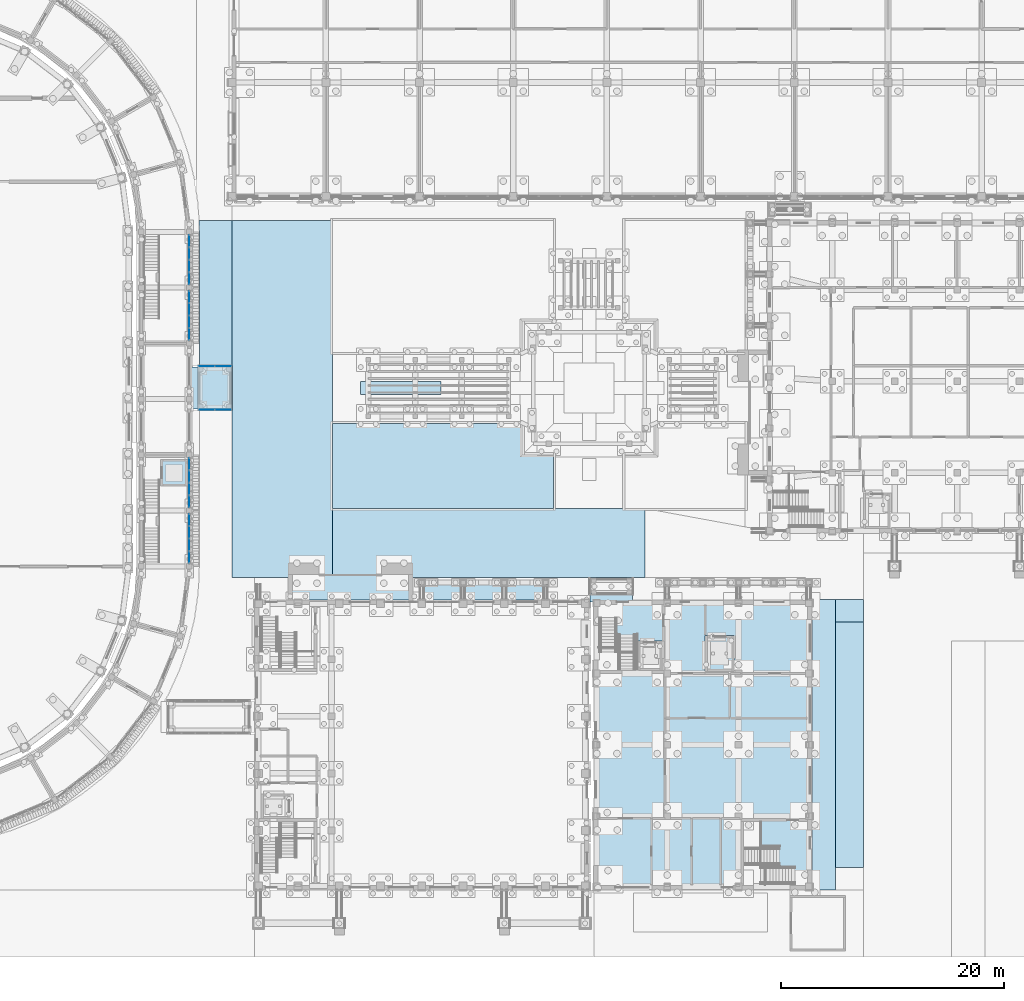
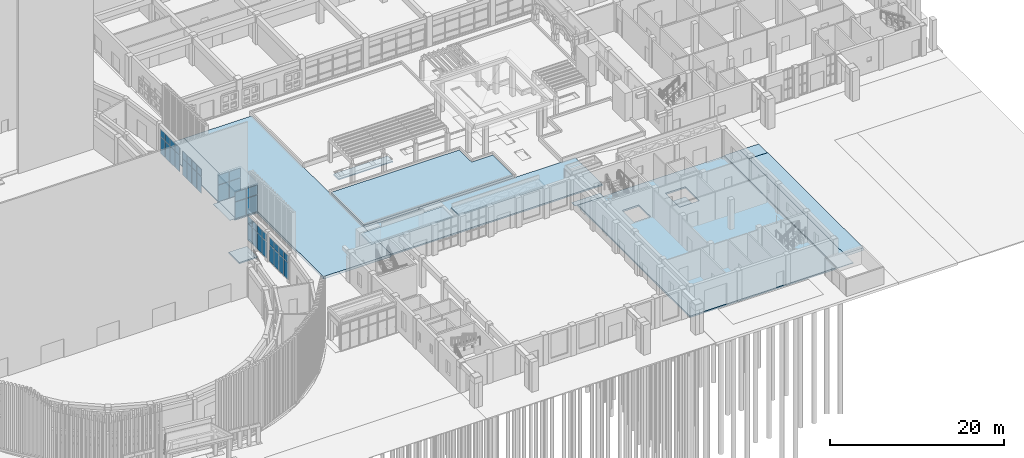
# One storey, part 51 of 112: 42 plates, 15 slabs, 6 elements without a shape of their own.
"""IFC4 building model written with IfcOpenShell, lengths in metres."""

from ifc_helpers import new_model, si_unit, direction, frame, origin, origin_2d, place, context, subcontext, project, spatial, polyline, rectangle, outline, extrude, material, layer, layer_set, type_object, element, aggregate, save


model = new_model("IFC4")

# Units and contexts
model_context = context("Model", 3, precision=1e-05, world=origin(), true_north=direction((0.0, 1.0)))
body_context = subcontext(model_context, "Body", "Model", "MODEL_VIEW")
ifc_project = project(units=[si_unit("LENGTHUNIT", "METRE"), si_unit("AREAUNIT", "SQUARE_METRE"), si_unit("VOLUMEUNIT", "CUBIC_METRE"), si_unit("PLANEANGLEUNIT", "RADIAN"), si_unit("MASSUNIT", "GRAM", prefix="KILO")], contexts=[model_context])

# Site, building, storey
site_placement = place(None, origin())
site = spatial("IfcSite", under=ifc_project, at=site_placement, CompositionType="ELEMENT")
building_placement = place(site_placement, origin())
building = spatial("IfcBuilding", under=site, at=building_placement, Name="Wasatch Bagh Community Centre", CompositionType="ELEMENT")
storey_placement = place(building_placement, origin())
storey = spatial("IfcBuildingStorey", under=building, at=storey_placement, Name="L00", CompositionType="ELEMENT", Elevation=0.0)

# Slabs
ifc_material_1 = material(Name="Concrete C35", Category="concrete")
ifc_layer_1 = layer(ifc_material_1, 0.199951171875)
ifc_layer_set_1 = layer_set([ifc_layer_1], Name="Concrete C35")
slab_type_1 = type_object("IfcSlabType", Name="CL-S1", PredefinedType="ROOF", material=ifc_layer_set_1)
slab_1_placement = place(storey_placement, frame((0.0, 0.0, 3.85009765625)))
element("IfcSlab", 1, at=slab_1_placement, inside=storey, type_object=slab_type_1, Name="CL-S1 arcade roof DH 1", PredefinedType="ROOF", context=body_context, shape_type="SweptSolid", body=[
    extrude(outline(polyline([(80.77490234375, 32.0), (92.324951171875, 32.0), (92.324951171875, 33.699951171875), (80.77490234375, 33.699951171875), (80.77490234375, 32.0)])), origin(), (0.0, 0.0, 1.0), 0.199951171875),
])
slab_2_placement = place(storey_placement, frame((0.0, 0.0, 3.85009765625)))
element("IfcSlab", 2, at=slab_2_placement, inside=storey, type_object=slab_type_1, Name="CL-S1 porch roof", PredefinedType="ROOF", context=body_context, shape_type="SweptSolid", body=[
    extrude(outline(polyline([(69.199951171875, 34.300048828125), (80.0, 34.300048828125), (80.0, 32.0), (69.199951171875, 32.0), (69.199951171875, 34.300048828125)])), origin(), (0.0, 0.0, 1.0), 0.199951171875),
])

# Curtain wall, plates
ifc_material_2 = material(Name="Aluminium curtain wall frame with low-iron insulated glass", Category="aluminium")
ifc_layer_2 = layer(ifc_material_2, 0.14990234375)
ifc_layer_set_2 = layer_set([ifc_layer_2], Name="Aluminium curtain wall frame with low-iron insulated glass")
curtain_wall_type_1 = type_object("IfcCurtainWallType", Name="Drum curtain wall DR-CW3", PredefinedType="NOTDEFINED", material=ifc_layer_set_2)
curtain_wall_1_placement = place(storey_placement, origin())
curtain_wall_1 = element("IfcCurtainWall", 3, at=curtain_wall_1_placement, inside=storey, type_object=curtain_wall_type_1, Name="Curtain wall DR-CW3 13", PredefinedType="NOTDEFINED")
ifc_material_3 = material(Name="Low-iron insulated glass", Category="glass")
ifc_layer_3 = layer(ifc_material_3, 0.028076171875)
ifc_layer_set_3 = layer_set([ifc_layer_3], Name="Low-iron insulated glass")
plate_type_1 = type_object("IfcPlateType", Name="Drum glass panel DR-CW3", PredefinedType="CURTAIN_PANEL", material=ifc_layer_set_3)
plate_1_placement = place(storey_placement, frame((60.14990234375, 35.827880859375, 0.06005859375), z_axis=(0.0, 0.0, 1.0), x_axis=(0.0, 1.0, 0.0)))
plate_1 = element("IfcPlate", 4, at=plate_1_placement, type_object=plate_type_1, Name="DR-CW3 panel 1.1", PredefinedType="CURTAIN_PANEL", context=body_context, shape_type="SweptSolid", body=[
    extrude(rectangle(XDim=1.03466796875, YDim=0.028076171875, at=origin_2d()), origin(), (0.0, 0.0, 1.0), 2.31005859375),
])
plate_2_placement = place(storey_placement, frame((60.14990234375, 35.827880859375, 2.43017578125), z_axis=(0.0, 0.0, 1.0), x_axis=(0.0, 1.0, 0.0)))
plate_2 = element("IfcPlate", 5, at=plate_2_placement, type_object=plate_type_1, Name="DR-CW3 panel 1.2", PredefinedType="CURTAIN_PANEL", context=body_context, shape_type="SweptSolid", body=[
    extrude(rectangle(XDim=1.03466796875, YDim=0.028076171875, at=origin_2d()), origin(), (0.0, 0.0, 1.0), 1.010009765625),
])
plate_3_placement = place(storey_placement, frame((60.14990234375, 36.937744140625, 0.06005859375), z_axis=(0.0, 0.0, 1.0), x_axis=(0.0, 1.0, 0.0)))
plate_3 = element("IfcPlate", 6, at=plate_3_placement, type_object=plate_type_1, Name="DR-CW3 panel 2.1", PredefinedType="CURTAIN_PANEL", context=body_context, shape_type="SweptSolid", body=[
    extrude(rectangle(XDim=1.064697265625, YDim=0.028076171875, at=origin_2d()), origin(), (0.0, 0.0, 1.0), 2.31005859375),
])
plate_4_placement = place(storey_placement, frame((60.14990234375, 36.937744140625, 2.43017578125), z_axis=(0.0, 0.0, 1.0), x_axis=(0.0, 1.0, 0.0)))
plate_4 = element("IfcPlate", 7, at=plate_4_placement, type_object=plate_type_1, Name="DR-CW3 panel 2.2", PredefinedType="CURTAIN_PANEL", context=body_context, shape_type="SweptSolid", body=[
    extrude(rectangle(XDim=1.064697265625, YDim=0.028076171875, at=origin_2d()), origin(), (0.0, 0.0, 1.0), 1.010009765625),
])
plate_5_placement = place(storey_placement, frame((60.14990234375, 38.062255859375, 0.06005859375), z_axis=(0.0, 0.0, 1.0), x_axis=(0.0, 1.0, 0.0)))
plate_5 = element("IfcPlate", 8, at=plate_5_placement, type_object=plate_type_1, Name="DR-CW3 panel 3.1", PredefinedType="CURTAIN_PANEL", context=body_context, shape_type="SweptSolid", body=[
    extrude(rectangle(XDim=1.064697265625, YDim=0.028076171875, at=origin_2d()), origin(), (0.0, 0.0, 1.0), 2.31005859375),
])
plate_6_placement = place(storey_placement, frame((60.14990234375, 38.062255859375, 2.43017578125), z_axis=(0.0, 0.0, 1.0), x_axis=(0.0, 1.0, 0.0)))
plate_6 = element("IfcPlate", 9, at=plate_6_placement, type_object=plate_type_1, Name="DR-CW3 panel 3.2", PredefinedType="CURTAIN_PANEL", context=body_context, shape_type="SweptSolid", body=[
    extrude(rectangle(XDim=1.064697265625, YDim=0.028076171875, at=origin_2d()), origin(), (0.0, 0.0, 1.0), 1.010009765625),
])
plate_7_placement = place(storey_placement, frame((60.14990234375, 39.172119140625, 0.06005859375), z_axis=(0.0, 0.0, 1.0), x_axis=(0.0, 1.0, 0.0)))
plate_7 = element("IfcPlate", 10, at=plate_7_placement, type_object=plate_type_1, Name="DR-CW3 panel 4.1", PredefinedType="CURTAIN_PANEL", context=body_context, shape_type="SweptSolid", body=[
    extrude(rectangle(XDim=1.03466796875, YDim=0.028076171875, at=origin_2d()), origin(), (0.0, 0.0, 1.0), 2.31005859375),
])
plate_8_placement = place(storey_placement, frame((60.14990234375, 39.172119140625, 2.43017578125), z_axis=(0.0, 0.0, 1.0), x_axis=(0.0, 1.0, 0.0)))
plate_8 = element("IfcPlate", 11, at=plate_8_placement, type_object=plate_type_1, Name="DR-CW3 panel 4.2", PredefinedType="CURTAIN_PANEL", context=body_context, shape_type="SweptSolid", body=[
    extrude(rectangle(XDim=1.03466796875, YDim=0.028076171875, at=origin_2d()), origin(), (0.0, 0.0, 1.0), 1.010009765625),
])
aggregate(curtain_wall_1, [plate_1, plate_2, plate_3, plate_4, plate_5, plate_6, plate_7, plate_8])

curtain_wall_2_placement = place(storey_placement, origin())
curtain_wall_2 = element("IfcCurtainWall", 12, at=curtain_wall_2_placement, inside=storey, type_object=curtain_wall_type_1, Name="Curtain wall DR-CW3 14", PredefinedType="NOTDEFINED")
plate_9_placement = place(storey_placement, frame((60.14990234375, 40.827880859375, 0.06005859375), z_axis=(0.0, 0.0, 1.0), x_axis=(0.0, 1.0, 0.0)))
plate_9 = element("IfcPlate", 13, at=plate_9_placement, type_object=plate_type_1, Name="DR-CW3 panel 1.1", PredefinedType="CURTAIN_PANEL", context=body_context, shape_type="SweptSolid", body=[
    extrude(rectangle(XDim=1.03466796875, YDim=0.028076171875, at=origin_2d()), origin(), (0.0, 0.0, 1.0), 2.31005859375),
])
plate_10_placement = place(storey_placement, frame((60.14990234375, 40.827880859375, 2.43017578125), z_axis=(0.0, 0.0, 1.0), x_axis=(0.0, 1.0, 0.0)))
plate_10 = element("IfcPlate", 14, at=plate_10_placement, type_object=plate_type_1, Name="DR-CW3 panel 1.2", PredefinedType="CURTAIN_PANEL", context=body_context, shape_type="SweptSolid", body=[
    extrude(rectangle(XDim=1.03466796875, YDim=0.028076171875, at=origin_2d()), origin(), (0.0, 0.0, 1.0), 1.010009765625),
])
plate_11_placement = place(storey_placement, frame((60.14990234375, 41.937744140625, 0.06005859375), z_axis=(0.0, 0.0, 1.0), x_axis=(0.0, 1.0, 0.0)))
plate_11 = element("IfcPlate", 15, at=plate_11_placement, type_object=plate_type_1, Name="DR-CW3 panel 2.1", PredefinedType="CURTAIN_PANEL", context=body_context, shape_type="SweptSolid", body=[
    extrude(rectangle(XDim=1.064697265625, YDim=0.028076171875, at=origin_2d()), origin(), (0.0, 0.0, 1.0), 2.31005859375),
])
plate_12_placement = place(storey_placement, frame((60.14990234375, 41.937744140625, 2.43017578125), z_axis=(0.0, 0.0, 1.0), x_axis=(0.0, 1.0, 0.0)))
plate_12 = element("IfcPlate", 16, at=plate_12_placement, type_object=plate_type_1, Name="DR-CW3 panel 2.2", PredefinedType="CURTAIN_PANEL", context=body_context, shape_type="SweptSolid", body=[
    extrude(rectangle(XDim=1.064697265625, YDim=0.028076171875, at=origin_2d()), origin(), (0.0, 0.0, 1.0), 1.010009765625),
])
plate_13_placement = place(storey_placement, frame((60.14990234375, 43.062255859375, 0.06005859375), z_axis=(0.0, 0.0, 1.0), x_axis=(0.0, 1.0, 0.0)))
plate_13 = element("IfcPlate", 17, at=plate_13_placement, type_object=plate_type_1, Name="DR-CW3 panel 3.1", PredefinedType="CURTAIN_PANEL", context=body_context, shape_type="SweptSolid", body=[
    extrude(rectangle(XDim=1.064697265625, YDim=0.028076171875, at=origin_2d()), origin(), (0.0, 0.0, 1.0), 2.31005859375),
])
plate_14_placement = place(storey_placement, frame((60.14990234375, 43.062255859375, 2.43017578125), z_axis=(0.0, 0.0, 1.0), x_axis=(0.0, 1.0, 0.0)))
plate_14 = element("IfcPlate", 18, at=plate_14_placement, type_object=plate_type_1, Name="DR-CW3 panel 3.2", PredefinedType="CURTAIN_PANEL", context=body_context, shape_type="SweptSolid", body=[
    extrude(rectangle(XDim=1.064697265625, YDim=0.028076171875, at=origin_2d()), origin(), (0.0, 0.0, 1.0), 1.010009765625),
])
plate_15_placement = place(storey_placement, frame((60.14990234375, 44.172119140625, 0.06005859375), z_axis=(0.0, 0.0, 1.0), x_axis=(0.0, 1.0, 0.0)))
plate_15 = element("IfcPlate", 19, at=plate_15_placement, type_object=plate_type_1, Name="DR-CW3 panel 4.1", PredefinedType="CURTAIN_PANEL", context=body_context, shape_type="SweptSolid", body=[
    extrude(rectangle(XDim=1.03466796875, YDim=0.028076171875, at=origin_2d()), origin(), (0.0, 0.0, 1.0), 2.31005859375),
])
plate_16_placement = place(storey_placement, frame((60.14990234375, 44.172119140625, 2.43017578125), z_axis=(0.0, 0.0, 1.0), x_axis=(0.0, 1.0, 0.0)))
plate_16 = element("IfcPlate", 20, at=plate_16_placement, type_object=plate_type_1, Name="DR-CW3 panel 4.2", PredefinedType="CURTAIN_PANEL", context=body_context, shape_type="SweptSolid", body=[
    extrude(rectangle(XDim=1.03466796875, YDim=0.028076171875, at=origin_2d()), origin(), (0.0, 0.0, 1.0), 1.010009765625),
])
aggregate(curtain_wall_2, [plate_9, plate_10, plate_11, plate_12, plate_13, plate_14, plate_15, plate_16])

curtain_wall_3_placement = place(storey_placement, origin())
curtain_wall_3 = element("IfcCurtainWall", 21, at=curtain_wall_3_placement, inside=storey, type_object=curtain_wall_type_1, Name="Curtain wall DR-CW3 17", PredefinedType="NOTDEFINED")
plate_17_placement = place(storey_placement, frame((60.14990234375, 55.827880859375, 0.06005859375), z_axis=(0.0, 0.0, 1.0), x_axis=(0.0, 1.0, 0.0)))
plate_17 = element("IfcPlate", 22, at=plate_17_placement, type_object=plate_type_1, Name="DR-CW3 panel 1.1", PredefinedType="CURTAIN_PANEL", context=body_context, shape_type="SweptSolid", body=[
    extrude(rectangle(XDim=1.03466796875, YDim=0.028076171875, at=origin_2d()), origin(), (0.0, 0.0, 1.0), 2.31005859375),
])
plate_18_placement = place(storey_placement, frame((60.14990234375, 55.827880859375, 2.43017578125), z_axis=(0.0, 0.0, 1.0), x_axis=(0.0, 1.0, 0.0)))
plate_18 = element("IfcPlate", 23, at=plate_18_placement, type_object=plate_type_1, Name="DR-CW3 panel 1.2", PredefinedType="CURTAIN_PANEL", context=body_context, shape_type="SweptSolid", body=[
    extrude(rectangle(XDim=1.03466796875, YDim=0.028076171875, at=origin_2d()), origin(), (0.0, 0.0, 1.0), 1.010009765625),
])
plate_19_placement = place(storey_placement, frame((60.14990234375, 56.937744140625, 0.06005859375), z_axis=(0.0, 0.0, 1.0), x_axis=(0.0, 1.0, 0.0)))
plate_19 = element("IfcPlate", 24, at=plate_19_placement, type_object=plate_type_1, Name="DR-CW3 panel 2.1", PredefinedType="CURTAIN_PANEL", context=body_context, shape_type="SweptSolid", body=[
    extrude(rectangle(XDim=1.064697265625, YDim=0.028076171875, at=origin_2d()), origin(), (0.0, 0.0, 1.0), 2.31005859375),
])
plate_20_placement = place(storey_placement, frame((60.14990234375, 56.937744140625, 2.43017578125), z_axis=(0.0, 0.0, 1.0), x_axis=(0.0, 1.0, 0.0)))
plate_20 = element("IfcPlate", 25, at=plate_20_placement, type_object=plate_type_1, Name="DR-CW3 panel 2.2", PredefinedType="CURTAIN_PANEL", context=body_context, shape_type="SweptSolid", body=[
    extrude(rectangle(XDim=1.064697265625, YDim=0.028076171875, at=origin_2d()), origin(), (0.0, 0.0, 1.0), 1.010009765625),
])
plate_21_placement = place(storey_placement, frame((60.14990234375, 58.062255859375, 0.06005859375), z_axis=(0.0, 0.0, 1.0), x_axis=(0.0, 1.0, 0.0)))
plate_21 = element("IfcPlate", 26, at=plate_21_placement, type_object=plate_type_1, Name="DR-CW3 panel 3.1", PredefinedType="CURTAIN_PANEL", context=body_context, shape_type="SweptSolid", body=[
    extrude(rectangle(XDim=1.064697265625, YDim=0.028076171875, at=origin_2d()), origin(), (0.0, 0.0, 1.0), 2.31005859375),
])
plate_22_placement = place(storey_placement, frame((60.14990234375, 58.062255859375, 2.43017578125), z_axis=(0.0, 0.0, 1.0), x_axis=(0.0, 1.0, 0.0)))
plate_22 = element("IfcPlate", 27, at=plate_22_placement, type_object=plate_type_1, Name="DR-CW3 panel 3.2", PredefinedType="CURTAIN_PANEL", context=body_context, shape_type="SweptSolid", body=[
    extrude(rectangle(XDim=1.064697265625, YDim=0.028076171875, at=origin_2d()), origin(), (0.0, 0.0, 1.0), 1.010009765625),
])
plate_23_placement = place(storey_placement, frame((60.14990234375, 59.172119140625, 0.06005859375), z_axis=(0.0, 0.0, 1.0), x_axis=(0.0, 1.0, 0.0)))
plate_23 = element("IfcPlate", 28, at=plate_23_placement, type_object=plate_type_1, Name="DR-CW3 panel 4.1", PredefinedType="CURTAIN_PANEL", context=body_context, shape_type="SweptSolid", body=[
    extrude(rectangle(XDim=1.03466796875, YDim=0.028076171875, at=origin_2d()), origin(), (0.0, 0.0, 1.0), 2.31005859375),
])
plate_24_placement = place(storey_placement, frame((60.14990234375, 59.172119140625, 2.43017578125), z_axis=(0.0, 0.0, 1.0), x_axis=(0.0, 1.0, 0.0)))
plate_24 = element("IfcPlate", 29, at=plate_24_placement, type_object=plate_type_1, Name="DR-CW3 panel 4.2", PredefinedType="CURTAIN_PANEL", context=body_context, shape_type="SweptSolid", body=[
    extrude(rectangle(XDim=1.03466796875, YDim=0.028076171875, at=origin_2d()), origin(), (0.0, 0.0, 1.0), 1.010009765625),
])
aggregate(curtain_wall_3, [plate_17, plate_18, plate_19, plate_20, plate_21, plate_22, plate_23, plate_24])

curtain_wall_4_placement = place(storey_placement, origin())
curtain_wall_4 = element("IfcCurtainWall", 30, at=curtain_wall_4_placement, inside=storey, type_object=curtain_wall_type_1, Name="Curtain wall DR-CW3 18", PredefinedType="NOTDEFINED")
plate_25_placement = place(storey_placement, frame((60.14990234375, 60.827880859375, 0.06005859375), z_axis=(0.0, 0.0, 1.0), x_axis=(0.0, 1.0, 0.0)))
plate_25 = element("IfcPlate", 31, at=plate_25_placement, type_object=plate_type_1, Name="DR-CW3 panel 1.1", PredefinedType="CURTAIN_PANEL", context=body_context, shape_type="SweptSolid", body=[
    extrude(rectangle(XDim=1.03466796875, YDim=0.028076171875, at=origin_2d()), origin(), (0.0, 0.0, 1.0), 2.31005859375),
])
plate_26_placement = place(storey_placement, frame((60.14990234375, 60.827880859375, 2.43017578125), z_axis=(0.0, 0.0, 1.0), x_axis=(0.0, 1.0, 0.0)))
plate_26 = element("IfcPlate", 32, at=plate_26_placement, type_object=plate_type_1, Name="DR-CW3 panel 1.2", PredefinedType="CURTAIN_PANEL", context=body_context, shape_type="SweptSolid", body=[
    extrude(rectangle(XDim=1.03466796875, YDim=0.028076171875, at=origin_2d()), origin(), (0.0, 0.0, 1.0), 1.010009765625),
])
plate_27_placement = place(storey_placement, frame((60.14990234375, 61.937744140625, 0.06005859375), z_axis=(0.0, 0.0, 1.0), x_axis=(0.0, 1.0, 0.0)))
plate_27 = element("IfcPlate", 33, at=plate_27_placement, type_object=plate_type_1, Name="DR-CW3 panel 2.1", PredefinedType="CURTAIN_PANEL", context=body_context, shape_type="SweptSolid", body=[
    extrude(rectangle(XDim=1.064697265625, YDim=0.028076171875, at=origin_2d()), origin(), (0.0, 0.0, 1.0), 2.31005859375),
])
plate_28_placement = place(storey_placement, frame((60.14990234375, 61.937744140625, 2.43017578125), z_axis=(0.0, 0.0, 1.0), x_axis=(0.0, 1.0, 0.0)))
plate_28 = element("IfcPlate", 34, at=plate_28_placement, type_object=plate_type_1, Name="DR-CW3 panel 2.2", PredefinedType="CURTAIN_PANEL", context=body_context, shape_type="SweptSolid", body=[
    extrude(rectangle(XDim=1.064697265625, YDim=0.028076171875, at=origin_2d()), origin(), (0.0, 0.0, 1.0), 1.010009765625),
])
plate_29_placement = place(storey_placement, frame((60.14990234375, 63.062255859375, 0.06005859375), z_axis=(0.0, 0.0, 1.0), x_axis=(0.0, 1.0, 0.0)))
plate_29 = element("IfcPlate", 35, at=plate_29_placement, type_object=plate_type_1, Name="DR-CW3 panel 3.1", PredefinedType="CURTAIN_PANEL", context=body_context, shape_type="SweptSolid", body=[
    extrude(rectangle(XDim=1.064697265625, YDim=0.028076171875, at=origin_2d()), origin(), (0.0, 0.0, 1.0), 2.31005859375),
])
plate_30_placement = place(storey_placement, frame((60.14990234375, 63.062255859375, 2.43017578125), z_axis=(0.0, 0.0, 1.0), x_axis=(0.0, 1.0, 0.0)))
plate_30 = element("IfcPlate", 36, at=plate_30_placement, type_object=plate_type_1, Name="DR-CW3 panel 3.2", PredefinedType="CURTAIN_PANEL", context=body_context, shape_type="SweptSolid", body=[
    extrude(rectangle(XDim=1.064697265625, YDim=0.028076171875, at=origin_2d()), origin(), (0.0, 0.0, 1.0), 1.010009765625),
])
plate_31_placement = place(storey_placement, frame((60.14990234375, 64.172119140625, 0.06005859375), z_axis=(0.0, 0.0, 1.0), x_axis=(0.0, 1.0, 0.0)))
plate_31 = element("IfcPlate", 37, at=plate_31_placement, type_object=plate_type_1, Name="DR-CW3 panel 4.1", PredefinedType="CURTAIN_PANEL", context=body_context, shape_type="SweptSolid", body=[
    extrude(rectangle(XDim=1.03466796875, YDim=0.028076171875, at=origin_2d()), origin(), (0.0, 0.0, 1.0), 2.31005859375),
])
plate_32_placement = place(storey_placement, frame((60.14990234375, 64.172119140625, 2.43017578125), z_axis=(0.0, 0.0, 1.0), x_axis=(0.0, 1.0, 0.0)))
plate_32 = element("IfcPlate", 38, at=plate_32_placement, type_object=plate_type_1, Name="DR-CW3 panel 4.2", PredefinedType="CURTAIN_PANEL", context=body_context, shape_type="SweptSolid", body=[
    extrude(rectangle(XDim=1.03466796875, YDim=0.028076171875, at=origin_2d()), origin(), (0.0, 0.0, 1.0), 1.010009765625),
])
aggregate(curtain_wall_4, [plate_25, plate_26, plate_27, plate_28, plate_29, plate_30, plate_31, plate_32])

# Slabs
ifc_material_4 = material(Name="Concrete C30", Category="concrete")
ifc_layer_4 = layer(ifc_material_4, 0.199951171875)
ifc_layer_set_4 = layer_set([ifc_layer_4], Name="Concrete C30")
slab_type_2 = type_object("IfcSlabType", Name="Drum lift pit slab 200", PredefinedType="BASESLAB", material=ifc_layer_set_4)
slab_3_placement = place(storey_placement, frame((0.0, 0.0, -0.949951171875)))
element("IfcSlab", 39, at=slab_3_placement, inside=storey, type_object=slab_type_2, Name="Lift pit slab SE", PredefinedType="BASESLAB", context=body_context, shape_type="SweptSolid", body=[
    extrude(outline(polyline([(57.574951171875, 42.199951171875), (59.97509765625, 42.199951171875), (59.97509765625, 44.60009765625), (57.574951171875, 44.60009765625), (57.574951171875, 42.199951171875)])), origin(), (0.0, 0.0, 1.0), 0.199951171875),
])
ifc_layer_5 = layer(ifc_material_4, 0.22509765625)
ifc_layer_set_5 = layer_set([ifc_layer_5], Name="Concrete C30")
slab_type_3 = type_object("IfcSlabType", Name="FD-SG-KW", PredefinedType="BASESLAB", material=ifc_layer_set_5)
slab_4_placement = place(storey_placement, frame((0.0, 0.0, -0.22509765625)))
element("IfcSlab", 40, at=slab_4_placement, inside=storey, type_object=slab_type_3, Name="Slab on grade KW", PredefinedType="BASESLAB", context=body_context, shape_type="SweptSolid", body=[
    extrude(outline(polyline([(96.5, 6.10009765625), (96.5, 31.89990234375), (115.89990234375, 31.89990234375), (115.89990234375, 6.10009765625), (96.5, 6.10009765625)]), holes=[polyline([(102.550048828125, 28.31005859375), (100.35009765625, 28.31005859375), (100.340087890625, 28.300048828125), (100.340087890625, 25.64990234375), (100.35009765625, 25.639892578125), (102.550048828125, 25.639892578125), (102.56005859375, 25.64990234375), (102.56005859375, 28.300048828125), (102.550048828125, 28.31005859375)]), polyline([(106.39990234375, 25.590087890625), (109.0, 25.590087890625), (109.010009765625, 25.60009765625), (109.010009765625, 28.800048828125), (109.0, 28.81005859375), (106.39990234375, 28.81005859375), (106.389892578125, 28.800048828125), (106.389892578125, 25.59912109375), (106.39990234375, 25.590087890625)])]), origin(), (0.0, 0.0, 1.0), 0.22509765625),
])
ifc_layer_6 = layer(ifc_material_1, 0.300048828125)
ifc_layer_set_6 = layer_set([ifc_layer_6], Name="Concrete C35")
slab_type_4 = type_object("IfcSlabType", Name="KW lift pit slab 300", PredefinedType="BASESLAB", material=ifc_layer_set_6)
slab_5_placement = place(storey_placement, frame((0.0, 0.0, -1.699951171875)))
element("IfcSlab", 41, at=slab_5_placement, inside=storey, type_object=slab_type_4, Name="KW.slab.L00.pit.LF3", PredefinedType="BASESLAB", context=body_context, shape_type="SweptSolid", body=[
    extrude(outline(polyline([(106.39990234375, 25.60009765625), (109.0, 25.60009765625), (109.0, 28.800048828125), (106.39990234375, 28.800048828125), (106.39990234375, 25.60009765625)])), origin(), (0.0, 0.0, 1.0), 0.300048828125),
])

# Curtain wall, plates
ifc_layer_7 = layer(ifc_material_2, 0.10009765625)
ifc_layer_set_7 = layer_set([ifc_layer_7], Name="Aluminium curtain wall frame with low-iron insulated glass")
curtain_wall_type_2 = type_object("IfcCurtainWallType", Name="PA curtain wall PA-CW1", PredefinedType="NOTDEFINED", material=ifc_layer_set_7)
curtain_wall_5_placement = place(storey_placement, origin())
curtain_wall_5 = element("IfcCurtainWall", 42, at=curtain_wall_5_placement, inside=storey, type_object=curtain_wall_type_2, Name="Curtain wall PA-CW1 PA1.1", PredefinedType="NOTDEFINED")
ifc_layer_8 = layer(ifc_material_3, 0.02392578125)
ifc_layer_set_8 = layer_set([ifc_layer_8], Name="Low-iron insulated glass")
plate_type_2 = type_object("IfcPlateType", Name="PA glass panel PA-CW1", PredefinedType="CURTAIN_PANEL", material=ifc_layer_set_8)
plate_33_placement = place(storey_placement, frame((61.699951171875, 49.049072265625, 0.06005859375), z_axis=(0.0, 0.0, 1.0), x_axis=(1.0, 0.0, 0.0)))
plate_33 = element("IfcPlate", 43, at=plate_33_placement, type_object=plate_type_2, Name="PA-CW1 panel 1.1", PredefinedType="CURTAIN_PANEL", context=body_context, shape_type="SweptSolid", body=[
    extrude(rectangle(XDim=1.43994140625, YDim=0.028076171875, at=origin_2d()), origin(), (0.0, 0.0, 1.0), 2.31005859375),
])
plate_34_placement = place(storey_placement, frame((61.699951171875, 49.049072265625, 2.43017578125), z_axis=(0.0, 0.0, 1.0), x_axis=(1.0, 0.0, 0.0)))
plate_34 = element("IfcPlate", 44, at=plate_34_placement, type_object=plate_type_2, Name="PA-CW1 panel 1.2", PredefinedType="CURTAIN_PANEL", context=body_context, shape_type="SweptSolid", body=[
    extrude(rectangle(XDim=1.43994140625, YDim=0.028076171875, at=origin_2d()), origin(), (0.0, 0.0, 1.0), 1.340087890625),
])
plate_35_placement = place(storey_placement, frame((63.199951171875, 49.049072265625, 0.06005859375), z_axis=(0.0, 0.0, 1.0), x_axis=(1.0, 0.0, 0.0)))
plate_35 = element("IfcPlate", 45, at=plate_35_placement, type_object=plate_type_2, Name="PA-CW1 panel 2.1", PredefinedType="CURTAIN_PANEL", context=body_context, shape_type="SweptSolid", body=[
    extrude(rectangle(XDim=1.43994140625, YDim=0.028076171875, at=origin_2d()), origin(), (0.0, 0.0, 1.0), 2.31005859375),
])
plate_36_placement = place(storey_placement, frame((63.199951171875, 49.049072265625, 2.43017578125), z_axis=(0.0, 0.0, 1.0), x_axis=(1.0, 0.0, 0.0)))
plate_36 = element("IfcPlate", 46, at=plate_36_placement, type_object=plate_type_2, Name="PA-CW1 panel 2.2", PredefinedType="CURTAIN_PANEL", context=body_context, shape_type="SweptSolid", body=[
    extrude(rectangle(XDim=1.43994140625, YDim=0.028076171875, at=origin_2d()), origin(), (0.0, 0.0, 1.0), 1.340087890625),
])
aggregate(curtain_wall_5, [plate_33, plate_34, plate_35, plate_36])

curtain_wall_6_placement = place(storey_placement, origin())
curtain_wall_6 = element("IfcCurtainWall", 47, at=curtain_wall_6_placement, inside=storey, type_object=curtain_wall_type_2, Name="Curtain wall PA-CW1 PA1.2", PredefinedType="NOTDEFINED")
plate_37_placement = place(storey_placement, frame((61.699951171875, 52.950927734375, 0.06005859375), z_axis=(0.0, 0.0, 1.0), x_axis=(1.0, 0.0, 0.0)))
plate_37 = element("IfcPlate", 48, at=plate_37_placement, type_object=plate_type_2, Name="PA-CW1 panel 1.1", PredefinedType="CURTAIN_PANEL", context=body_context, shape_type="SweptSolid", body=[
    extrude(rectangle(XDim=1.43994140625, YDim=0.028076171875, at=origin_2d()), origin(), (0.0, 0.0, 1.0), 2.31005859375),
])
plate_38_placement = place(storey_placement, frame((61.699951171875, 52.950927734375, 2.43017578125), z_axis=(0.0, 0.0, 1.0), x_axis=(1.0, 0.0, 0.0)))
plate_38 = element("IfcPlate", 49, at=plate_38_placement, type_object=plate_type_2, Name="PA-CW1 panel 1.2", PredefinedType="CURTAIN_PANEL", context=body_context, shape_type="SweptSolid", body=[
    extrude(rectangle(XDim=1.43994140625, YDim=0.028076171875, at=origin_2d()), origin(), (0.0, 0.0, 1.0), 1.340087890625),
])
plate_39_placement = place(storey_placement, frame((63.199951171875, 52.950927734375, 0.06005859375), z_axis=(0.0, 0.0, 1.0), x_axis=(1.0, 0.0, 0.0)))
plate_39 = element("IfcPlate", 50, at=plate_39_placement, type_object=plate_type_2, Name="PA-CW1 panel 2.1", PredefinedType="CURTAIN_PANEL", context=body_context, shape_type="SweptSolid", body=[
    extrude(rectangle(XDim=1.43994140625, YDim=0.028076171875, at=origin_2d()), origin(), (0.0, 0.0, 1.0), 2.31005859375),
])
plate_40_placement = place(storey_placement, frame((63.199951171875, 52.950927734375, 2.43017578125), z_axis=(0.0, 0.0, 1.0), x_axis=(1.0, 0.0, 0.0)))
plate_40 = element("IfcPlate", 51, at=plate_40_placement, type_object=plate_type_2, Name="PA-CW1 panel 2.2", PredefinedType="CURTAIN_PANEL", context=body_context, shape_type="SweptSolid", body=[
    extrude(rectangle(XDim=1.43994140625, YDim=0.028076171875, at=origin_2d()), origin(), (0.0, 0.0, 1.0), 1.340087890625),
])
aggregate(curtain_wall_6, [plate_37, plate_38, plate_39, plate_40])

# Plates
ifc_material_5 = material(Name="Aluminium chequer plate", Category="aluminium")
ifc_layer_9 = layer(ifc_material_5, 0.008056640625)
ifc_layer_set_9 = layer_set([ifc_layer_9], Name="Aluminium chequer plate")
plate_type_3 = type_object("IfcPlateType", Name="PA-J1", PredefinedType="SHEET", material=ifc_layer_set_9)
plate_41_placement = place(storey_placement, frame((60.699951171875, 51.0, 0.0), z_axis=(0.0, 0.0, 1.0), x_axis=(1.0, 0.0, 0.0)))
element("IfcPlate", 52, at=plate_41_placement, inside=storey, type_object=plate_type_3, Name="joint cover plate PA1.1", PredefinedType="SHEET", context=body_context, shape_type="SweptSolid", body=[
    extrude(rectangle(XDim=0.800048828125, YDim=3.800048828125, at=origin_2d()), origin(), (0.0, 0.0, 1.0), 0.008056640625),
])
plate_42_placement = place(storey_placement, frame((98.0, 32.199951171875, 0.0), z_axis=(0.0, 0.0, 1.0), x_axis=(1.0, 0.0, 0.0)))
element("IfcPlate", 53, at=plate_42_placement, inside=storey, type_object=plate_type_3, Name="joint cover plate PA4.1", PredefinedType="SHEET", context=body_context, shape_type="SweptSolid", body=[
    extrude(rectangle(XDim=3.800048828125, YDim=0.800048828125, at=origin_2d()), origin(), (0.0, 0.0, 1.0), 0.008056640625),
])

# Slabs
ifc_layer_10 = layer(ifc_material_4, 0.14990234375)
ifc_layer_set_10 = layer_set([ifc_layer_10], Name="Concrete C30")
slab_type_5 = type_object("IfcSlabType", Name="PA-S2 on grade", PredefinedType="BASESLAB", material=ifc_layer_set_10)
slab_6_placement = place(storey_placement, frame((0.0, 0.0, -0.14990234375)))
element("IfcSlab", 54, at=slab_6_placement, inside=storey, type_object=slab_type_5, Name="PA1 floor", PredefinedType="BASESLAB", context=body_context, shape_type="SweptSolid", body=[
    extrude(outline(polyline([(60.89990234375, 49.0), (64.0, 49.0), (64.0, 53.0), (60.89990234375, 53.0), (60.89990234375, 49.0)])), origin(), (0.0, 0.0, 1.0), 0.14990234375),
])
ifc_layer_11 = layer(ifc_material_1, 0.159912109375)
ifc_layer_set_11 = layer_set([ifc_layer_11], Name="Concrete C35")
slab_type_6 = type_object("IfcSlabType", Name="PA-S4", PredefinedType="ROOF", material=ifc_layer_set_11)
slab_7_placement = place(storey_placement, frame((0.0, 0.0, 3.840087890625)))
element("IfcSlab", 55, at=slab_7_placement, inside=storey, type_object=slab_type_6, Name="PA1 roof slab", PredefinedType="ROOF", context=body_context, shape_type="SweptSolid", body=[
    extrude(outline(polyline([(60.89990234375, 49.0), (64.0, 49.0), (64.0, 53.0), (60.89990234375, 53.0), (60.89990234375, 49.0)])), origin(), (0.0, 0.0, 1.0), 0.159912109375),
])
ifc_material_6 = material(Name="Planting soil over Concrete C30", Category="concrete")
ifc_layer_12 = layer(ifc_material_6, 0.5)
ifc_layer_set_12 = layer_set([ifc_layer_12], Name="Planting soil over Concrete C30")
slab_type_7 = type_object("IfcSlabType", Name="SITE-G1", PredefinedType="FLOOR", material=ifc_layer_set_12)
slab_8_placement = place(storey_placement, frame((0.0, 0.0, -0.199951171875)))
element("IfcSlab", 56, at=slab_8_placement, inside=storey, type_object=slab_type_7, Name="Paving - Garden quadrant SW", PredefinedType="FLOOR", context=body_context, shape_type="SweptSolid", body=[
    extrude(outline(polyline([(73.0, 47.800048828125), (90.0, 47.800048828125), (90.0, 45.0), (92.800048828125, 45.0), (92.800048828125, 40.199951171875), (73.0, 40.199951171875), (73.0, 47.800048828125)])), origin(), (0.0, 0.0, 1.0), 0.5),
])
ifc_material_7 = material(Name="Grass-crete paving on Concrete C30 base", Category="concrete")
ifc_layer_13 = layer(ifc_material_7, 0.14990234375)
ifc_layer_set_13 = layer_set([ifc_layer_13], Name="Grass-crete paving on Concrete C30 base")
slab_type_8 = type_object("IfcSlabType", Name="SITE-G2", PredefinedType="FLOOR", material=ifc_layer_set_13)
slab_9_placement = place(storey_placement, frame((0.0, 0.0, -0.14990234375)))
element("IfcSlab", 57, at=slab_9_placement, inside=storey, type_object=slab_type_8, Name="Paving - North lawn 3", PredefinedType="FLOOR", context=body_context, shape_type="SweptSolid", body=[
    extrude(outline(polyline([(64.0, 66.0), (64.0, 53.02001953125), (61.070068359375, 53.02001953125), (61.070068359375, 65.00048828125), (61.0224609375, 66.0), (64.0, 66.0)])), origin(), (0.0, 0.0, 1.0), 0.14990234375),
])
ifc_layer_14 = layer(ifc_material_1, 0.199951171875)
ifc_layer_set_14 = layer_set([ifc_layer_14], Name="Concrete C35")
slab_type_9 = type_object("IfcSlabType", Name="SITE-P1", PredefinedType="FLOOR", material=ifc_layer_set_14)
slab_10_placement = place(storey_placement, frame((0.0, 0.0, -0.199951171875)))
element("IfcSlab", 58, at=slab_10_placement, inside=storey, type_object=slab_type_9, Name="Paving - Court south lane", PredefinedType="FLOOR", context=body_context, shape_type="SweptSolid", body=[
    extrude(outline(polyline([(73.0, 40.199951171875), (101.0, 40.199951171875), (101.0, 34.0), (100.02001953125, 34.0), (100.02001953125, 34.02001953125), (95.97998046875, 34.02001953125), (95.97998046875, 34.0), (73.0, 34.0), (73.0, 40.199951171875)])), origin(), (0.0, 0.0, 1.0), 0.199951171875),
])
ifc_layer_15 = layer(ifc_material_1, 0.3798828125)
ifc_layer_set_15 = layer_set([ifc_layer_15], Name="Concrete C35")
slab_type_10 = type_object("IfcSlabType", Name="SITE-P13", PredefinedType="FLOOR", material=ifc_layer_set_15)
slab_11_placement = place(storey_placement, frame((0.0, 0.0, -0.3798828125)))
element("IfcSlab", 59, at=slab_11_placement, inside=storey, type_object=slab_type_10, Name="Paving - Lay-by", PredefinedType="FLOOR", context=body_context, shape_type="SweptSolid", body=[
    extrude(outline(polyline([(118.10009765625, 30.0), (120.60009765625, 30.0), (120.60009765625, 8.0), (118.10009765625, 8.0), (118.10009765625, 30.0)])), origin(), (0.0, 0.0, 1.0), 0.3798828125),
])
ifc_layer_16 = layer(ifc_material_1, 0.360107421875)
ifc_layer_set_16 = layer_set([ifc_layer_16], Name="Concrete C35")
slab_type_11 = type_object("IfcSlabType", Name="SITE-P14", PredefinedType="FLOOR", material=ifc_layer_set_16)
slab_12_placement = place(storey_placement, frame((0.0, 0.0, -0.360107421875)))
element("IfcSlab", 60, at=slab_12_placement, inside=storey, type_object=slab_type_11, Name="Paving - Court west apron", PredefinedType="FLOOR", context=body_context, shape_type="SweptSolid", body=[
    extrude(outline(polyline([(73.0, 66.0), (73.0, 34.0), (64.0, 34.0), (64.0, 48.97998046875), (64.02001953125, 48.97998046875), (64.02001953125, 53.02001953125), (64.0, 53.02001953125), (64.0, 66.0), (73.0, 66.0)])), origin(), (0.0, 0.0, 1.0), 0.360107421875),
])
ifc_layer_17 = layer(ifc_material_4, 0.10009765625)
ifc_layer_set_17 = layer_set([ifc_layer_17], Name="Concrete C30")
slab_type_12 = type_object("IfcSlabType", Name="SITE-P4", PredefinedType="FLOOR", material=ifc_layer_set_17)
slab_13_placement = place(storey_placement, frame((0.0, 0.0, -0.10009765625)))
element("IfcSlab", 61, at=slab_13_placement, inside=storey, type_object=slab_type_12, Name="Paving - Kitchen wing footway", PredefinedType="FLOOR", context=body_context, shape_type="SweptSolid", body=[
    extrude(outline(polyline([(118.10009765625, 6.0), (116.02001953125, 6.0), (116.02001953125, 32.02001953125), (118.10009765625, 32.02001953125), (118.10009765625, 6.0)])), origin(), (0.0, 0.0, 1.0), 0.10009765625),
])
ifc_layer_18 = layer(ifc_material_1, 0.27001953125)
ifc_layer_set_18 = layer_set([ifc_layer_18], Name="Concrete C35")
slab_type_13 = type_object("IfcSlabType", Name="SITE-P8", PredefinedType="FLOOR", material=ifc_layer_set_18)
slab_14_placement = place(storey_placement, frame((0.0, 0.0, -0.27001953125)))
element("IfcSlab", 62, at=slab_14_placement, inside=storey, type_object=slab_type_13, Name="Paving - Flush crossing", PredefinedType="FLOOR", context=body_context, shape_type="SweptSolid", body=[
    extrude(outline(polyline([(118.10009765625, 32.02001953125), (120.60009765625, 32.02001953125), (120.60009765625, 30.0), (118.10009765625, 30.0), (118.10009765625, 32.02001953125)])), origin(), (0.0, 0.0, 1.0), 0.27001953125),
])
ifc_layer_19 = layer(ifc_material_1, 0.14990234375)
ifc_layer_set_19 = layer_set([ifc_layer_19], Name="Concrete C35")
slab_type_14 = type_object("IfcSlabType", Name="SITE-WB", PredefinedType="FLOOR", material=ifc_layer_set_19)
slab_15_placement = place(storey_placement, frame((0.0, 0.0, -0.43994140625)))
element("IfcSlab", 63, at=slab_15_placement, inside=storey, type_object=slab_type_14, Name="Water channel basin", PredefinedType="FLOOR", context=body_context, shape_type="SweptSolid", body=[
    extrude(outline(polyline([(82.699951171875, 51.60009765625), (82.699951171875, 50.39990234375), (75.5, 50.39990234375), (75.5, 51.60009765625), (82.699951171875, 51.60009765625)])), origin(), (0.0, 0.0, 1.0), 0.14990234375),
])

save(model, "model.ifc")
